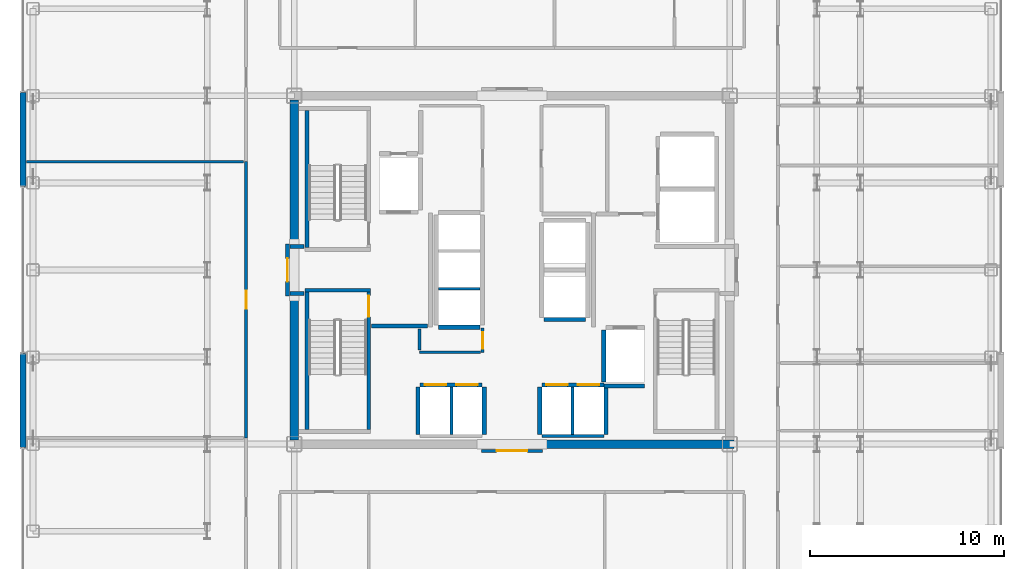
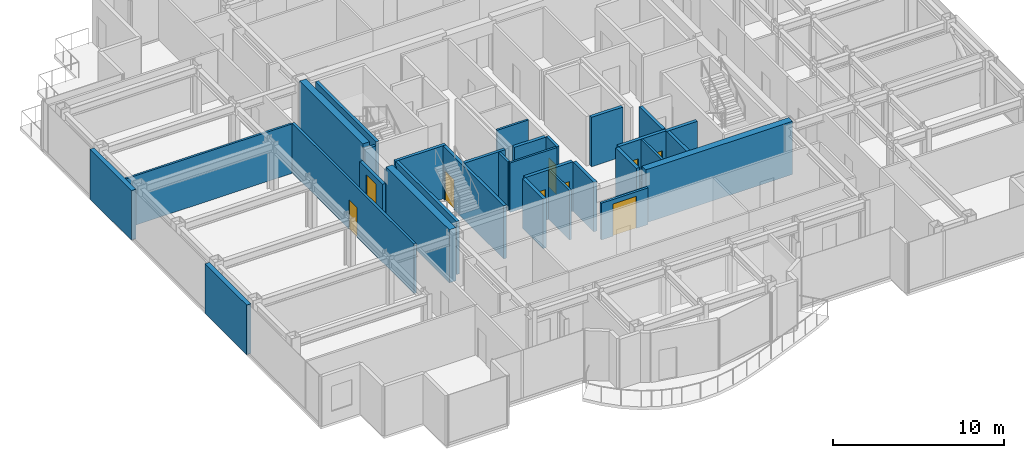
# One storey, part 16 of 22: 33 walls, 9 doors, 9 openings.
"""IFC4 building model written with IfcOpenShell, lengths in metres."""

from ifc_helpers import new_model, si_unit, direction, frame, frame_2d, origin, place, context, subcontext, project, spatial, rectangle, extrude, source, transform, mapped, material, layer, layer_set, type_object, element, fill, save


model = new_model("IFC4")

# Units and contexts
model_context = context("Model", 3, precision=1e-05, world=origin(), true_north=direction((0.0, 1.0)))
body_context = subcontext(model_context, "Body", "Model", "MODEL_VIEW")
ifc_project = project(units=[si_unit("LENGTHUNIT", "METRE"), si_unit("AREAUNIT", "SQUARE_METRE"), si_unit("VOLUMEUNIT", "CUBIC_METRE"), si_unit("PLANEANGLEUNIT", "RADIAN"), si_unit("MASSUNIT", "GRAM", prefix="KILO")], contexts=[model_context])

# Site, building, storey
site_placement = place(None, origin())
site = spatial("IfcSite", under=ifc_project, at=site_placement, CompositionType="ELEMENT")
building_placement = place(site_placement, origin())
building = spatial("IfcBuilding", under=site, at=building_placement, Name="Nefas-Gora Pilgrimage Tower", CompositionType="ELEMENT")
storey_placement = place(building_placement, frame((0.0, 0.0, 240.800048828125)))
storey = spatial("IfcBuildingStorey", under=building, at=storey_placement, Name="L60", CompositionType="ELEMENT", Elevation=240.800048828125)

# Walls
ifc_material_1 = material(Name="Concrete C50/60", Category="concrete")
ifc_layer_1 = layer(ifc_material_1, 0.449951171875)
ifc_layer_set_1 = layer_set([ifc_layer_1], Name="Concrete C50/60")
wall_type_1 = type_object("IfcWallType", Name="SW-CORE-450", PredefinedType="SHEAR", material=ifc_layer_set_1)
shared_shape_1 = source(origin(), body_context, "Body", "SweptSolid", [
    extrude(rectangle(XDim=9.925048828125, YDim=0.449951171875, at=frame_2d((4.96240234375, 0.0))), origin(), (0.0, 0.0, 1.0), 3.800048828125),
])
wall_1_placement = place(storey_placement, frame((1.550048828125, -9.0, 0.0), z_axis=(0.0, 0.0, 1.0), x_axis=(1.0, 0.0, 0.0)))
element("IfcWall", 1, at=wall_1_placement, inside=storey, type_object=wall_type_1, Name="L60 Core Shear Wall S-East", PredefinedType="SHEAR", context=body_context, shape_type="MappedRepresentation", body=[
    mapped(shared_shape_1, transform((0.0, 0.0, 0.0), x_axis=(1.0, 0.0, 0.0), y_axis=(0.0, 1.0, 0.0), z_axis=(0.0, 0.0, 1.0), scale=1.0)),
])
shared_shape_2 = source(origin(), body_context, "Body", "SweptSolid", [
    extrude(rectangle(XDim=7.4248046875, YDim=0.449951171875, at=frame_2d((3.71240234375, 0.0))), origin(), (0.0, 0.0, 1.0), 3.800048828125),
])
for number, where, z_axis, x_axis, name in (
    (2, (-11.25, -8.77490234375, 0.0), (0.0, 0.0, 1.0), (0.0, 1.0, 0.0), "L60 Core Shear Wall W-South"),
    (3, (-11.25, 1.35009765625, 0.0), (0.0, 0.0, 1.0), (0.0, 1.0, 0.0), "L60 Core Shear Wall W-North"),
):
    element("IfcWall", number, at=place(storey_placement, frame(where, z_axis=z_axis, x_axis=x_axis)), inside=storey, type_object=wall_type_1, Name=name, PredefinedType="SHEAR", context=body_context, shape_type="MappedRepresentation", body=[
        mapped(shared_shape_2, transform((0.0, 0.0, 0.0), x_axis=(1.0, 0.0, 0.0), y_axis=(0.0, 1.0, 0.0), z_axis=(0.0, 0.0, 1.0), scale=1.0)),
    ])
ifc_material_2 = material(Name="Precast concrete C45/55", Category="concrete")
ifc_layer_2 = layer(ifc_material_2, 0.239990234375)
ifc_layer_set_2 = layer_set([ifc_layer_2], Name="Precast concrete C45/55")
wall_type_2 = type_object("IfcWallType", Name="EW-SERR-240", PredefinedType="SHEAR", material=ifc_layer_set_2)
shared_shape_3 = source(origin(), body_context, "Body", "SweptSolid", [
    extrude(rectangle(XDim=4.8798828125, YDim=0.300048828125, at=frame_2d((2.43994140625, 0.0))), origin(), (0.0, 0.0, 1.0), 3.550048828125),
])
for number, where, z_axis, x_axis, name in (
    (4, (-25.27001953125, -9.18994140625, 0.0), (0.0, 0.0, 1.0), (0.0, 1.0, 0.0), "L60 Braced-Tube Precast Shear Cladding 1"),
    (5, (-25.27001953125, 4.31005859375, 0.0), (0.0, 0.0, 1.0), (0.0, 1.0, 0.0), "L60 Braced-Tube Precast Shear Cladding 2"),
):
    element("IfcWall", number, at=place(storey_placement, frame(where, z_axis=z_axis, x_axis=x_axis)), inside=storey, type_object=wall_type_2, Name=name, PredefinedType="SHEAR", context=body_context, shape_type="MappedRepresentation", body=[
        mapped(shared_shape_3, transform((0.0, 0.0, 0.0), x_axis=(1.0, 0.0, 0.0), y_axis=(0.0, 1.0, 0.0), z_axis=(0.0, 0.0, 1.0), scale=1.0)),
    ])
ifc_material_3 = material(Name="Concrete C45/55", Category="concrete")
ifc_layer_3 = layer(ifc_material_3, 0.199951171875)
ifc_layer_set_3 = layer_set([ifc_layer_3], Name="Concrete C45/55")
wall_type_3 = type_object("IfcWallType", Name="IW-STAIR-200", PredefinedType="SOLIDWALL", material=ifc_layer_set_3)
shared_shape_4 = source(origin(), body_context, "Body", "SweptSolid", [
    extrude(rectangle(XDim=3.39990234375, YDim=0.199951171875, at=frame_2d((1.699951171875, 0.0))), origin(), (0.0, 0.0, 1.0), 3.800048828125),
])
wall_2_placement = place(storey_placement, frame((-10.699951171875, -1.050048828125, 0.0), z_axis=(0.0, 0.0, 1.0), x_axis=(1.0, 0.0, 0.0)))
element("IfcWall", 6, at=wall_2_placement, inside=storey, type_object=wall_type_3, Name="L60 Stairwell Shear Wall ST-03-near", PredefinedType="SOLIDWALL", context=body_context, shape_type="MappedRepresentation", body=[
    mapped(shared_shape_4, transform((0.0, 0.0, 0.0), x_axis=(1.0, 0.0, 0.0), y_axis=(0.0, 1.0, 0.0), z_axis=(0.0, 0.0, 1.0), scale=1.0)),
])
shared_shape_5 = source(origin(), body_context, "Body", "SweptSolid", [
    extrude(rectangle(XDim=7.10009765625, YDim=0.199951171875, at=frame_2d((3.550048828125, 0.0))), origin(), (0.0, 0.0, 1.0), 3.800048828125),
])
for number, where, z_axis, x_axis, name in (
    (7, (-10.60009765625, 1.14990234375, 0.0), (0.0, 0.0, 1.0), (0.0, 1.0, 0.0), "L60 Stairwell Shear Wall ST-01-right"),
    (8, (-10.60009765625, -1.14990234375, 0.0), (0.0, 0.0, 1.0), (0.0, -1.0, 0.0), "L60 Stairwell Shear Wall ST-03-left"),
):
    element("IfcWall", number, at=place(storey_placement, frame(where, z_axis=z_axis, x_axis=x_axis)), inside=storey, type_object=wall_type_3, Name=name, PredefinedType="SOLIDWALL", context=body_context, shape_type="MappedRepresentation", body=[
        mapped(shared_shape_5, transform((0.0, 0.0, 0.0), x_axis=(1.0, 0.0, 0.0), y_axis=(0.0, 1.0, 0.0), z_axis=(0.0, 0.0, 1.0), scale=1.0)),
    ])

# Wall, opening, door
wall_3_placement = place(storey_placement, frame((-7.39990234375, -1.14990234375, 0.0), z_axis=(0.0, 0.0, 1.0), x_axis=(0.0, -1.0, 0.0)))
wall_3 = element("IfcWall", 9, at=wall_3_placement, inside=storey, type_object=wall_type_3, Name="L60 Stairwell Shear Wall ST-03-right", PredefinedType="SOLIDWALL", context=body_context, shape_type="MappedRepresentation", body=[
    mapped(shared_shape_5, transform((0.0, 0.0, 0.0), x_axis=(1.0, 0.0, 0.0), y_axis=(0.0, 1.0, 0.0), z_axis=(0.0, 0.0, 1.0), scale=1.0)),
])
opening_1_placement = place(wall_3_placement, frame((0.179931640625, 0.0, 0.0)))
opening_1 = element("IfcOpeningElement", 10, at=opening_1_placement, cuts=wall_3, Name="Opening ID-ST1", PredefinedType="OPENING", context=body_context, shape_type="SweptSolid", body=[
    extrude(rectangle(XDim=1.10009765625, YDim=2.14990234375, at=frame_2d((0.550048828125, 1.074951171875))), frame((0.0, 0.10986328125, 0.0), z_axis=(0.0, -1.0, 0.0), x_axis=(1.0, 0.0, 0.0)), (0.0, 0.0, 1.0), 0.219970703125),
])
ifc_material_4 = material(Name="Painted galvanised steel fire stair door", Category="steel")
door_type_1 = type_object("IfcDoorType", Name="DR-INT-STAIR-1100", OperationType="NOTDEFINED", PredefinedType="DOOR", material=ifc_material_4)
shared_shape_6 = source(origin(), body_context, "Body", "SweptSolid", [
    extrude(rectangle(XDim=1.10009765625, YDim=2.14990234375, at=frame_2d((0.550048828125, 1.074951171875))), frame((0.0, 0.02490234375, 0.0), z_axis=(0.0, -1.0, 0.0), x_axis=(1.0, 0.0, 0.0)), (0.0, 0.0, 1.0), 0.050048828125),
])
door_1_placement = place(opening_1_placement, origin())
door_1 = element("IfcDoor", 11, at=door_1_placement, inside=storey, type_object=door_type_1, Name="L60 Protected Exit Stair Door ST-03", OperationType="SINGLE_SWING_RIGHT", OverallHeight=2.14990234375, OverallWidth=1.10009765625, PredefinedType="DOOR", context=body_context, shape_type="MappedRepresentation", body=[
    mapped(shared_shape_6, transform((0.0, 0.0, 0.0), x_axis=(1.0, 0.0, 0.0), y_axis=(0.0, 1.0, 0.0), z_axis=(0.0, 0.0, 1.0), scale=1.0)),
])
fill(opening_1, door_1)

# Wall
ifc_material_5 = material(Name="Concrete C40/50", Category="concrete")
ifc_layer_4 = layer(ifc_material_5, 0.219970703125)
ifc_layer_set_4 = layer_set([ifc_layer_4], Name="Concrete C40/50")
wall_type_4 = type_object("IfcWallType", Name="IW-SHAFT-220", PredefinedType="SOLIDWALL", material=ifc_layer_set_4)
shared_shape_7 = source(origin(), body_context, "Body", "SweptSolid", [
    extrude(rectangle(XDim=2.679931640625, YDim=0.219970703125, at=frame_2d((1.33984375, 0.0))), origin(), (0.0, 0.0, 1.0), 3.534912109375),
])
wall_4_placement = place(storey_placement, frame((4.739990234375, -3.110107421875, 0.0), z_axis=(0.0, 0.0, 1.0), x_axis=(0.0, -1.0, 0.0)))
element("IfcWall", 12, at=wall_4_placement, inside=storey, type_object=wall_type_4, Name="L60 Hoistway Wall FFL-02-W", PredefinedType="SOLIDWALL", context=body_context, shape_type="MappedRepresentation", body=[
    mapped(shared_shape_7, transform((0.0, 0.0, 0.0), x_axis=(1.0, 0.0, 0.0), y_axis=(0.0, 1.0, 0.0), z_axis=(0.0, 0.0, 1.0), scale=1.0)),
])

# Wall, openings, doors
shared_shape_8 = source(origin(), body_context, "Body", "SweptSolid", [
    extrude(rectangle(XDim=3.199951171875, YDim=0.219970703125, at=frame_2d((1.60009765625, 0.0))), origin(), (0.0, 0.0, 1.0), 3.534912109375),
])
wall_5_placement = place(storey_placement, frame((-1.550048828125, -5.93994140625, 0.0), z_axis=(0.0, 0.0, 1.0), x_axis=(-1.0, 0.0, 0.0)))
wall_5 = element("IfcWall", 13, at=wall_5_placement, inside=storey, type_object=wall_type_4, Name="L60 Hoistway Wall PL2-W-N", PredefinedType="SOLIDWALL", context=body_context, shape_type="MappedRepresentation", body=[
    mapped(shared_shape_8, transform((0.0, 0.0, 0.0), x_axis=(1.0, 0.0, 0.0), y_axis=(0.0, 1.0, 0.0), z_axis=(0.0, 0.0, 1.0), scale=1.0)),
])
opening_2_placement = place(wall_5_placement, frame((1.85009765625, 0.0, 0.0)))
opening_2 = element("IfcOpeningElement", 14, at=opening_2_placement, cuts=wall_5, Name="Opening LD-01", PredefinedType="OPENING", context=body_context, shape_type="SweptSolid", body=[
    extrude(rectangle(XDim=1.10009765625, YDim=2.199951171875, at=frame_2d((0.550048828125, 1.10009765625))), frame((0.0, 0.119873046875, 0.0), z_axis=(0.0, -1.0, 0.0), x_axis=(1.0, 0.0, 0.0)), (0.0, 0.0, 1.0), 0.239990234375),
])
opening_3_placement = place(wall_5_placement, frame((0.22509765625, 0.0, 0.0)))
opening_3 = element("IfcOpeningElement", 15, at=opening_3_placement, cuts=wall_5, Name="Opening LD-01", PredefinedType="OPENING", context=body_context, shape_type="SweptSolid", body=[
    extrude(rectangle(XDim=1.10009765625, YDim=2.199951171875, at=frame_2d((0.550048828125, 1.10009765625))), frame((0.0, 0.119873046875, 0.0), z_axis=(0.0, -1.0, 0.0), x_axis=(1.0, 0.0, 0.0)), (0.0, 0.0, 1.0), 0.239990234375),
])
ifc_material_6 = material(Name="Brushed stainless sliding lift landing door")
door_type_2 = type_object("IfcDoorType", Name="DR-LIFT-PASS-1100", OperationType="DOUBLE_DOOR_SLIDING", PredefinedType="DOOR", material=ifc_material_6)
shared_shape_9 = source(origin(), body_context, "Body", "SweptSolid", [
    extrude(rectangle(XDim=1.10009765625, YDim=2.199951171875, at=frame_2d((0.550048828125, 1.10009765625))), frame((0.0, 0.02490234375, 0.0), z_axis=(0.0, -1.0, 0.0), x_axis=(1.0, 0.0, 0.0)), (0.0, 0.0, 1.0), 0.050048828125),
])
door_2_placement = place(opening_2_placement, origin())
door_2 = element("IfcDoor", 16, at=door_2_placement, inside=storey, type_object=door_type_2, Name="L60 Sliding Lift Landing Door PL2-01", OperationType="DOUBLE_DOOR_SLIDING", OverallHeight=2.199951171875, OverallWidth=1.10009765625, PredefinedType="DOOR", context=body_context, shape_type="MappedRepresentation", body=[
    mapped(shared_shape_9, transform((0.0, 0.0, 0.0), x_axis=(1.0, 0.0, 0.0), y_axis=(0.0, 1.0, 0.0), z_axis=(0.0, 0.0, 1.0), scale=1.0)),
])
fill(opening_2, door_2)
door_3_placement = place(opening_3_placement, origin())
door_3 = element("IfcDoor", 17, at=door_3_placement, inside=storey, type_object=door_type_2, Name="L60 Sliding Lift Landing Door PL2-02", OperationType="DOUBLE_DOOR_SLIDING", OverallHeight=2.199951171875, OverallWidth=1.10009765625, PredefinedType="DOOR", context=body_context, shape_type="MappedRepresentation", body=[
    mapped(shared_shape_9, transform((0.0, 0.0, 0.0), x_axis=(1.0, 0.0, 0.0), y_axis=(0.0, 1.0, 0.0), z_axis=(0.0, 0.0, 1.0), scale=1.0)),
])
fill(opening_3, door_3)

wall_6_placement = place(storey_placement, frame((4.75, -5.93994140625, 0.0), z_axis=(0.0, 0.0, 1.0), x_axis=(-1.0, 0.0, 0.0)))
wall_6 = element("IfcWall", 18, at=wall_6_placement, inside=storey, type_object=wall_type_4, Name="L60 Hoistway Wall PL2-E-N", PredefinedType="SOLIDWALL", context=body_context, shape_type="MappedRepresentation", body=[
    mapped(shared_shape_8, transform((0.0, 0.0, 0.0), x_axis=(1.0, 0.0, 0.0), y_axis=(0.0, 1.0, 0.0), z_axis=(0.0, 0.0, 1.0), scale=1.0)),
])
opening_4_placement = place(wall_6_placement, frame((1.875, 0.0, 0.0)))
opening_4 = element("IfcOpeningElement", 19, at=opening_4_placement, cuts=wall_6, Name="Opening LD-01", PredefinedType="OPENING", context=body_context, shape_type="SweptSolid", body=[
    extrude(rectangle(XDim=1.10009765625, YDim=2.199951171875, at=frame_2d((0.550048828125, 1.10009765625))), frame((0.0, 0.119873046875, 0.0), z_axis=(0.0, -1.0, 0.0), x_axis=(1.0, 0.0, 0.0)), (0.0, 0.0, 1.0), 0.239990234375),
])
opening_5_placement = place(wall_6_placement, frame((0.25, 0.0, 0.0)))
opening_5 = element("IfcOpeningElement", 20, at=opening_5_placement, cuts=wall_6, Name="Opening LD-01", PredefinedType="OPENING", context=body_context, shape_type="SweptSolid", body=[
    extrude(rectangle(XDim=1.10009765625, YDim=2.199951171875, at=frame_2d((0.550048828125, 1.10009765625))), frame((0.0, 0.119873046875, 0.0), z_axis=(0.0, -1.0, 0.0), x_axis=(1.0, 0.0, 0.0)), (0.0, 0.0, 1.0), 0.239990234375),
])
door_4_placement = place(opening_4_placement, origin())
door_4 = element("IfcDoor", 21, at=door_4_placement, inside=storey, type_object=door_type_2, Name="L60 Sliding Lift Landing Door PL2-03", OperationType="DOUBLE_DOOR_SLIDING", OverallHeight=2.199951171875, OverallWidth=1.10009765625, PredefinedType="DOOR", context=body_context, shape_type="MappedRepresentation", body=[
    mapped(shared_shape_9, transform((0.0, 0.0, 0.0), x_axis=(1.0, 0.0, 0.0), y_axis=(0.0, 1.0, 0.0), z_axis=(0.0, 0.0, 1.0), scale=1.0)),
])
fill(opening_4, door_4)
door_5_placement = place(opening_5_placement, origin())
door_5 = element("IfcDoor", 22, at=door_5_placement, inside=storey, type_object=door_type_2, Name="L60 Sliding Lift Landing Door PL2-04", OperationType="DOUBLE_DOOR_SLIDING", OverallHeight=2.199951171875, OverallWidth=1.10009765625, PredefinedType="DOOR", context=body_context, shape_type="MappedRepresentation", body=[
    mapped(shared_shape_9, transform((0.0, 0.0, 0.0), x_axis=(1.0, 0.0, 0.0), y_axis=(0.0, 1.0, 0.0), z_axis=(0.0, 0.0, 1.0), scale=1.0)),
])
fill(opening_5, door_5)

# Walls
shared_shape_10 = source(origin(), body_context, "Body", "SweptSolid", [
    extrude(rectangle(XDim=2.429931640625, YDim=0.219970703125, at=frame_2d((1.21484375, 0.0))), origin(), (0.0, 0.0, 1.0), 3.534912109375),
])
for number, where, z_axis, x_axis, name in (
    (23, (-4.860107421875, -6.06005859375, 0.0), (0.0, 0.0, 1.0), (0.0, -1.0, 0.0), "L60 Hoistway Wall PL2-W-W"),
    (24, (-1.43994140625, -8.489990234375, 0.0), (0.0, 0.0, 1.0), (0.0, 1.0, 0.0), "L60 Hoistway Wall PL2-W-E"),
    (25, (1.43994140625, -6.06005859375, 0.0), (0.0, 0.0, 1.0), (0.0, -1.0, 0.0), "L60 Hoistway Wall PL2-E-W"),
    (26, (4.860107421875, -8.489990234375, 0.0), (0.0, 0.0, 1.0), (0.0, 1.0, 0.0), "L60 Hoistway Wall PL2-E-E"),
):
    element("IfcWall", number, at=place(storey_placement, frame(where, z_axis=z_axis, x_axis=x_axis)), inside=storey, type_object=wall_type_4, Name=name, PredefinedType="SOLIDWALL", context=body_context, shape_type="MappedRepresentation", body=[
        mapped(shared_shape_10, transform((0.0, 0.0, 0.0), x_axis=(1.0, 0.0, 0.0), y_axis=(0.0, 1.0, 0.0), z_axis=(0.0, 0.0, 1.0), scale=1.0)),
    ])
ifc_material_7 = material(Name="Gypsum twin-stud partition")
ifc_layer_5 = layer(ifc_material_7, 0.139892578125)
ifc_layer_set_5 = layer_set([ifc_layer_5], Name="Gypsum twin-stud partition")
wall_type_5 = type_object("IfcWallType", Name="IW-UNIT-140", PredefinedType="PARTITIONING", material=ifc_layer_set_5)
shared_shape_11 = source(origin(), body_context, "Body", "SweptSolid", [
    extrude(rectangle(XDim=2.429931640625, YDim=0.139892578125, at=frame_2d((1.21484375, 0.0))), origin(), (0.0, 0.0, 1.0), 3.534912109375),
])
for number, where, z_axis, x_axis, name in (
    (27, (-3.125, -8.489990234375, 0.0), (0.0, 0.0, 1.0), (0.0, 1.0, 0.0), "L60 Hoistway Wall PL2-W-DIV"),
    (28, (3.125, -8.489990234375, 0.0), (0.0, 0.0, 1.0), (0.0, 1.0, 0.0), "L60 Hoistway Wall PL2-E-DIV"),
):
    element("IfcWall", number, at=place(storey_placement, frame(where, z_axis=z_axis, x_axis=x_axis)), inside=storey, type_object=wall_type_5, Name=name, PredefinedType="PARTITIONING", context=body_context, shape_type="MappedRepresentation", body=[
        mapped(shared_shape_11, transform((0.0, 0.0, 0.0), x_axis=(1.0, 0.0, 0.0), y_axis=(0.0, 1.0, 0.0), z_axis=(0.0, 0.0, 1.0), scale=1.0)),
    ])
shared_shape_12 = source(origin(), body_context, "Body", "SweptSolid", [
    extrude(rectangle(XDim=2.130126953125, YDim=0.219970703125, at=frame_2d((1.06494140625, 0.0))), origin(), (0.0, 0.0, 1.0), 3.534912109375),
])
for number, where, z_axis, x_axis, name in (
    (29, (-3.7900390625, -2.9599609375, 0.0), (0.0, 0.0, 1.0), (1.0, 0.0, 0.0), "L60 Hoistway Wall PL3-01-S"),
    (30, (1.659912109375, -2.56005859375, 0.0), (0.0, 0.0, 1.0), (1.0, 0.0, 0.0), "L60 Hoistway Wall OBS-01-S"),
):
    element("IfcWall", number, at=place(storey_placement, frame(where, z_axis=z_axis, x_axis=x_axis)), inside=storey, type_object=wall_type_4, Name=name, PredefinedType="SOLIDWALL", context=body_context, shape_type="MappedRepresentation", body=[
        mapped(shared_shape_12, transform((0.0, 0.0, 0.0), x_axis=(1.0, 0.0, 0.0), y_axis=(0.0, 1.0, 0.0), z_axis=(0.0, 0.0, 1.0), scale=1.0)),
    ])
shared_shape_13 = source(origin(), body_context, "Body", "SweptSolid", [
    extrude(rectangle(XDim=2.130126953125, YDim=0.139892578125, at=frame_2d((1.06494140625, 0.0))), origin(), (0.0, 0.0, 1.0), 3.534912109375),
])
wall_7_placement = place(storey_placement, frame((-3.7900390625, -0.97509765625, 0.0), z_axis=(0.0, 0.0, 1.0), x_axis=(1.0, 0.0, 0.0)))
element("IfcWall", 31, at=wall_7_placement, inside=storey, type_object=wall_type_5, Name="L60 Hoistway Wall PL3-01-02-DIV", PredefinedType="PARTITIONING", context=body_context, shape_type="MappedRepresentation", body=[
    mapped(shared_shape_13, transform((0.0, 0.0, 0.0), x_axis=(1.0, 0.0, 0.0), y_axis=(0.0, 1.0, 0.0), z_axis=(0.0, 0.0, 1.0), scale=1.0)),
])
ifc_material_8 = material(Name="Gypsum acoustic stud partition")
ifc_layer_6 = layer(ifc_material_8, 0.159912109375)
ifc_layer_set_6 = layer_set([ifc_layer_6], Name="Gypsum acoustic stud partition")
wall_type_6 = type_object("IfcWallType", Name="IW-CORR-160", PredefinedType="PARTITIONING", material=ifc_layer_set_6)
shared_shape_14 = source(origin(), body_context, "Body", "SweptSolid", [
    extrude(rectangle(XDim=3.199951171875, YDim=0.159912109375, at=frame_2d((1.60009765625, 0.0))), origin(), (0.0, 0.0, 1.0), 2.625),
])
wall_8_placement = place(storey_placement, frame((1.550048828125, -8.580078125, 0.0), z_axis=(0.0, 0.0, 1.0), x_axis=(1.0, 0.0, 0.0)))
element("IfcWall", 32, at=wall_8_placement, inside=storey, type_object=wall_type_6, Name="L60 Hoistway Wall PL2-E-S", PredefinedType="PARTITIONING", context=body_context, shape_type="MappedRepresentation", body=[
    mapped(shared_shape_14, transform((0.0, 0.0, 0.0), x_axis=(1.0, 0.0, 0.0), y_axis=(0.0, 1.0, 0.0), z_axis=(0.0, 0.0, 1.0), scale=1.0)),
])
shared_shape_15 = source(origin(), body_context, "Body", "SweptSolid", [
    extrude(rectangle(XDim=2.09521484375, YDim=0.219970703125, at=frame_2d((1.047607421875, 0.0))), origin(), (0.0, 0.0, 1.0), 3.534912109375),
])
wall_9_placement = place(storey_placement, frame((4.7548828125, -6.0, 0.0), z_axis=(0.0, 0.0, 1.0), x_axis=(1.0, 0.0, 0.0)))
element("IfcWall", 33, at=wall_9_placement, inside=storey, type_object=wall_type_4, Name="L60 Riser Shaft Wall 3", PredefinedType="SOLIDWALL", context=body_context, shape_type="MappedRepresentation", body=[
    mapped(shared_shape_15, transform((0.0, 0.0, 0.0), x_axis=(1.0, 0.0, 0.0), y_axis=(0.0, 1.0, 0.0), z_axis=(0.0, 0.0, 1.0), scale=1.0)),
])
ifc_material_9 = material(Name="Gypsum fire-rated shaftwall")
ifc_layer_7 = layer(ifc_material_9, 0.199951171875)
ifc_layer_set_7 = layer_set([ifc_layer_7], Name="Gypsum fire-rated shaftwall")
wall_type_7 = type_object("IfcWallType", Name="IW-FFLOB-200", PredefinedType="PARTITIONING", material=ifc_layer_set_7)
shared_shape_16 = source(origin(), body_context, "Body", "SweptSolid", [
    extrude(rectangle(XDim=2.89990234375, YDim=0.199951171875, at=frame_2d((1.449951171875, 0.0))), origin(), (0.0, 0.0, 1.0), 3.534912109375),
])
wall_10_placement = place(storey_placement, frame((-7.260009765625, -2.89990234375, 0.0), z_axis=(0.0, 0.0, 1.0), x_axis=(1.0, 0.0, 0.0)))
element("IfcWall", 34, at=wall_10_placement, inside=storey, type_object=wall_type_7, Name="L60 FF Lobby West South Wall Wall 6", PredefinedType="PARTITIONING", context=body_context, shape_type="MappedRepresentation", body=[
    mapped(shared_shape_16, transform((0.0, 0.0, 0.0), x_axis=(1.0, 0.0, 0.0), y_axis=(0.0, 1.0, 0.0), z_axis=(0.0, 0.0, 1.0), scale=1.0)),
])
shared_shape_17 = source(origin(), body_context, "Body", "SweptSolid", [
    extrude(rectangle(XDim=0.719970703125, YDim=0.199951171875, at=frame_2d((0.35986328125, 0.0))), origin(), (0.0, 0.0, 1.0), 3.534912109375),
])
for number, where, z_axis, x_axis, name in (
    (35, (-11.4599609375, 1.219970703125, 0.0), (0.0, 0.0, 1.0), (1.0, 0.0, 0.0), "L60 FF Lobby West Throat N Wall 7"),
    (36, (-11.4599609375, -1.219970703125, 0.0), (0.0, 0.0, 1.0), (1.0, 0.0, 0.0), "L60 FF Lobby West Throat S Wall 8"),
):
    element("IfcWall", number, at=place(storey_placement, frame(where, z_axis=z_axis, x_axis=x_axis)), inside=storey, type_object=wall_type_7, Name=name, PredefinedType="PARTITIONING", context=body_context, shape_type="MappedRepresentation", body=[
        mapped(shared_shape_17, transform((0.0, 0.0, 0.0), x_axis=(1.0, 0.0, 0.0), y_axis=(0.0, 1.0, 0.0), z_axis=(0.0, 0.0, 1.0), scale=1.0)),
    ])

# Wall, opening, door
shared_shape_18 = source(origin(), body_context, "Body", "SweptSolid", [
    extrude(rectangle(XDim=1.25, YDim=0.159912109375, at=frame_2d((0.625, 0.0))), origin(), (0.0, 0.0, 1.0), 3.534912109375),
])
wall_11_placement = place(storey_placement, frame((-1.52001953125, -4.260009765625, 0.0), z_axis=(0.0, 0.0, 1.0), x_axis=(0.0, 1.0, 0.0)))
wall_11 = element("IfcWall", 37, at=wall_11_placement, inside=storey, type_object=wall_type_6, Name="L60 Pilgrim Baggage and Gear Vault Wall 20", PredefinedType="PARTITIONING", context=body_context, shape_type="MappedRepresentation", body=[
    mapped(shared_shape_18, transform((0.0, 0.0, 0.0), x_axis=(1.0, 0.0, 0.0), y_axis=(0.0, 1.0, 0.0), z_axis=(0.0, 0.0, 1.0), scale=1.0)),
])
opening_6_placement = place(wall_11_placement, frame((0.199951171875, 0.0, 0.0)))
opening_6 = element("IfcOpeningElement", 38, at=opening_6_placement, cuts=wall_11, Name="Opening ID-BT1", PredefinedType="OPENING", context=body_context, shape_type="SweptSolid", body=[
    extrude(rectangle(XDim=0.85009765625, YDim=2.10009765625, at=frame_2d((0.425048828125, 1.050048828125))), frame((0.0, 0.08984375, 0.0), z_axis=(0.0, -1.0, 0.0), x_axis=(1.0, 0.0, 0.0)), (0.0, 0.0, 1.0), 0.179931640625),
])
ifc_material_10 = material(Name="Moisture-resistant fire-rated timber door", Category="wood")
door_type_3 = type_object("IfcDoorType", Name="DR-INT-BATH-850", OperationType="NOTDEFINED", PredefinedType="DOOR", material=ifc_material_10)
shared_shape_19 = source(origin(), body_context, "Body", "SweptSolid", [
    extrude(rectangle(XDim=0.85009765625, YDim=2.10009765625, at=frame_2d((0.425048828125, 1.050048828125))), frame((0.0, 0.02490234375, 0.0), z_axis=(0.0, -1.0, 0.0), x_axis=(1.0, 0.0, 0.0)), (0.0, 0.0, 1.0), 0.050048828125),
])
door_6_placement = place(opening_6_placement, origin())
door_6 = element("IfcDoor", 39, at=door_6_placement, inside=storey, type_object=door_type_3, Name="L60 Pilgrim Baggage and Gear Vault Door 8", OperationType="SINGLE_SWING_RIGHT", OverallHeight=2.10009765625, OverallWidth=0.85009765625, PredefinedType="DOOR", context=body_context, shape_type="MappedRepresentation", body=[
    mapped(shared_shape_19, transform((0.0, 0.0, 0.0), x_axis=(1.0, 0.0, 0.0), y_axis=(0.0, 1.0, 0.0), z_axis=(0.0, 0.0, 1.0), scale=1.0)),
])
fill(opening_6, door_6)

# Walls
shared_shape_20 = source(origin(), body_context, "Body", "SweptSolid", [
    extrude(rectangle(XDim=3.150146484375, YDim=0.139892578125, at=frame_2d((1.5751953125, 0.0))), origin(), (0.0, 0.0, 1.0), 3.534912109375),
])
wall_12_placement = place(storey_placement, frame((-4.7900390625, -4.25, 0.0), z_axis=(0.0, 0.0, 1.0), x_axis=(1.0, 0.0, 0.0)))
element("IfcWall", 40, at=wall_12_placement, inside=storey, type_object=wall_type_5, Name="L60 Pilgrim Baggage and Gear Vault Partition Wall 21", PredefinedType="PARTITIONING", context=body_context, shape_type="MappedRepresentation", body=[
    mapped(shared_shape_20, transform((0.0, 0.0, 0.0), x_axis=(1.0, 0.0, 0.0), y_axis=(0.0, 1.0, 0.0), z_axis=(0.0, 0.0, 1.0), scale=1.0)),
])
shared_shape_21 = source(origin(), body_context, "Body", "SweptSolid", [
    extrude(rectangle(XDim=1.099853515625, YDim=0.139892578125, at=frame_2d((0.5498046875, 0.0))), origin(), (0.0, 0.0, 1.0), 3.534912109375),
])
wall_13_placement = place(storey_placement, frame((-4.780029296875, -4.139892578125, 0.0), z_axis=(0.0, 0.0, 1.0), x_axis=(0.0, 1.0, 0.0)))
element("IfcWall", 41, at=wall_13_placement, inside=storey, type_object=wall_type_5, Name="L60 Pilgrim Baggage and Gear Vault Partition Wall 22", PredefinedType="PARTITIONING", context=body_context, shape_type="MappedRepresentation", body=[
    mapped(shared_shape_21, transform((0.0, 0.0, 0.0), x_axis=(1.0, 0.0, 0.0), y_axis=(0.0, 1.0, 0.0), z_axis=(0.0, 0.0, 1.0), scale=1.0)),
])
shared_shape_22 = source(origin(), body_context, "Body", "SweptSolid", [
    extrude(rectangle(XDim=11.219970703125, YDim=0.139892578125, at=frame_2d((5.60986328125, 0.0))), origin(), (0.0, 0.0, 1.0), 3.534912109375),
])
wall_14_placement = place(storey_placement, frame((-25.080078125, 5.594970703125, 0.0), z_axis=(0.0, 0.0, 1.0), x_axis=(1.0, 0.0, 0.0)))
element("IfcWall", 42, at=wall_14_placement, inside=storey, type_object=wall_type_5, Name="L60 Pilgrim Floor Concierge Foyer Partition Wall 30", PredefinedType="PARTITIONING", context=body_context, shape_type="MappedRepresentation", body=[
    mapped(shared_shape_22, transform((0.0, 0.0, 0.0), x_axis=(1.0, 0.0, 0.0), y_axis=(0.0, 1.0, 0.0), z_axis=(0.0, 0.0, 1.0), scale=1.0)),
])

# Wall, opening, door
shared_shape_23 = source(origin(), body_context, "Body", "SweptSolid", [
    extrude(rectangle(XDim=2.7001953125, YDim=0.199951171875, at=frame_2d((1.35009765625, 0.0))), origin(), (0.0, 0.0, 1.0), 2.625),
])
wall_15_placement = place(storey_placement, frame((-11.60009765625, -1.35009765625, 0.0), z_axis=(0.0, 0.0, 1.0), x_axis=(0.0, 1.0, 0.0)))
wall_15 = element("IfcWall", 43, at=wall_15_placement, inside=storey, type_object=wall_type_7, Name="L60 FF Lobby West Portal Wall 4", PredefinedType="PARTITIONING", context=body_context, shape_type="MappedRepresentation", body=[
    mapped(shared_shape_23, transform((0.0, 0.0, 0.0), x_axis=(1.0, 0.0, 0.0), y_axis=(0.0, 1.0, 0.0), z_axis=(0.0, 0.0, 1.0), scale=1.0)),
])
opening_7_placement = place(wall_15_placement, frame((0.75, 0.0, 0.0)))
opening_7 = element("IfcOpeningElement", 44, at=opening_7_placement, cuts=wall_15, Name="Opening ID-FF1", PredefinedType="OPENING", context=body_context, shape_type="SweptSolid", body=[
    extrude(rectangle(XDim=1.199951171875, YDim=2.14990234375, at=frame_2d((0.60009765625, 1.074951171875))), frame((0.0, 0.10986328125, 0.0), z_axis=(0.0, -1.0, 0.0), x_axis=(1.0, 0.0, 0.0)), (0.0, 0.0, 1.0), 0.219970703125),
])
ifc_material_11 = material(Name="Smoke-sealed steel firefighting lobby door", Category="steel")
door_type_4 = type_object("IfcDoorType", Name="DR-INT-FFLOB-1200", OperationType="NOTDEFINED", PredefinedType="DOOR", material=ifc_material_11)
shared_shape_24 = source(origin(), body_context, "Body", "SweptSolid", [
    extrude(rectangle(XDim=1.199951171875, YDim=2.14990234375, at=frame_2d((0.60009765625, 1.074951171875))), frame((0.0, 0.02490234375, 0.0), z_axis=(0.0, -1.0, 0.0), x_axis=(1.0, 0.0, 0.0)), (0.0, 0.0, 1.0), 0.050048828125),
])
door_7_placement = place(opening_7_placement, origin())
door_7 = element("IfcDoor", 45, at=door_7_placement, inside=storey, type_object=door_type_4, Name="L60 FF Lobby West Portal Door 2", OperationType="SINGLE_SWING_RIGHT", OverallHeight=2.14990234375, OverallWidth=1.199951171875, PredefinedType="DOOR", context=body_context, shape_type="MappedRepresentation", body=[
    mapped(shared_shape_24, transform((0.0, 0.0, 0.0), x_axis=(1.0, 0.0, 0.0), y_axis=(0.0, 1.0, 0.0), z_axis=(0.0, 0.0, 1.0), scale=1.0)),
])
fill(opening_7, door_7)

shared_shape_25 = source(origin(), body_context, "Body", "SweptSolid", [
    extrude(rectangle(XDim=3.16015625, YDim=0.159912109375, at=frame_2d((1.580078125, 0.0))), origin(), (0.0, 0.0, 1.0), 2.625),
])
wall_16_placement = place(storey_placement, frame((-1.580078125, -9.35009765625, 0.0), z_axis=(0.0, 0.0, 1.0), x_axis=(1.0, 0.0, 0.0)))
wall_16 = element("IfcWall", 46, at=wall_16_placement, inside=storey, type_object=wall_type_6, Name="L60 Central Lift Lobby South Portal Wall 16", PredefinedType="PARTITIONING", context=body_context, shape_type="MappedRepresentation", body=[
    mapped(shared_shape_25, transform((0.0, 0.0, 0.0), x_axis=(1.0, 0.0, 0.0), y_axis=(0.0, 1.0, 0.0), z_axis=(0.0, 0.0, 1.0), scale=1.0)),
])
opening_8_placement = place(wall_16_placement, frame((0.780029296875, 0.0, 0.0)))
opening_8 = element("IfcOpeningElement", 47, at=opening_8_placement, cuts=wall_16, Name="Opening ID-HL1", PredefinedType="OPENING", context=body_context, shape_type="SweptSolid", body=[
    extrude(rectangle(XDim=1.60009765625, YDim=2.300048828125, at=frame_2d((0.800048828125, 1.14990234375))), frame((0.0, 0.08984375, 0.0), z_axis=(0.0, -1.0, 0.0), x_axis=(1.0, 0.0, 0.0)), (0.0, 0.0, 1.0), 0.179931640625),
])
ifc_material_12 = material(Name="Double acoustic timber assembly hall door", Category="wood")
door_type_5 = type_object("IfcDoorType", Name="DR-INT-HALL-1600", OperationType="DOUBLE_DOOR_SINGLE_SWING", PredefinedType="DOOR", material=ifc_material_12)
shared_shape_26 = source(origin(), body_context, "Body", "SweptSolid", [
    extrude(rectangle(XDim=1.60009765625, YDim=2.300048828125, at=frame_2d((0.800048828125, 1.14990234375))), frame((0.0, 0.02490234375, 0.0), z_axis=(0.0, -1.0, 0.0), x_axis=(1.0, 0.0, 0.0)), (0.0, 0.0, 1.0), 0.050048828125),
])
door_8_placement = place(opening_8_placement, origin())
door_8 = element("IfcDoor", 48, at=door_8_placement, inside=storey, type_object=door_type_5, Name="L60 Central Lift Lobby South Portal Door 6", OperationType="DOUBLE_DOOR_SINGLE_SWING", OverallHeight=2.300048828125, OverallWidth=1.60009765625, PredefinedType="DOOR", context=body_context, shape_type="MappedRepresentation", body=[
    mapped(shared_shape_26, transform((0.0, 0.0, 0.0), x_axis=(1.0, 0.0, 0.0), y_axis=(0.0, 1.0, 0.0), z_axis=(0.0, 0.0, 1.0), scale=1.0)),
])
fill(opening_8, door_8)

shared_shape_27 = source(origin(), body_context, "Body", "SweptSolid", [
    extrude(rectangle(XDim=14.29248046875, YDim=0.159912109375, at=frame_2d((7.146240234375, 0.0))), origin(), (0.0, 0.0, 1.0), 3.534912109375),
])
wall_17_placement = place(storey_placement, frame((-13.739990234375, -8.6875, 0.0), z_axis=(0.0, 0.0, 1.0), x_axis=(0.0, 1.0, 0.0)))
wall_17 = element("IfcWall", 49, at=wall_17_placement, inside=storey, type_object=wall_type_6, Name="L60 Pilgrim Floor Concierge Foyer Partition Wall 28", PredefinedType="PARTITIONING", context=body_context, shape_type="MappedRepresentation", body=[
    mapped(shared_shape_27, transform((0.0, 0.0, 0.0), x_axis=(1.0, 0.0, 0.0), y_axis=(0.0, 1.0, 0.0), z_axis=(0.0, 0.0, 1.0), scale=1.0)),
])
opening_9_placement = place(wall_17_placement, frame((6.67138671875, 0.0, 0.0)))
opening_9 = element("IfcOpeningElement", 50, at=opening_9_placement, cuts=wall_17, Name="Opening ID-GR1", PredefinedType="OPENING", context=body_context, shape_type="SweptSolid", body=[
    extrude(rectangle(XDim=0.949951171875, YDim=2.10009765625, at=frame_2d((0.47509765625, 1.050048828125))), frame((0.0, 0.08984375, 0.0), z_axis=(0.0, -1.0, 0.0), x_axis=(1.0, 0.0, 0.0)), (0.0, 0.0, 1.0), 0.179931640625),
])
ifc_material_13 = material(Name="Solid core oak fire-rated guest entrance door")
door_type_6 = type_object("IfcDoorType", Name="DR-INT-GUEST-950", OperationType="NOTDEFINED", PredefinedType="DOOR", material=ifc_material_13)
shared_shape_28 = source(origin(), body_context, "Body", "SweptSolid", [
    extrude(rectangle(XDim=0.949951171875, YDim=2.10009765625, at=frame_2d((0.47509765625, 1.050048828125))), frame((0.0, 0.02490234375, 0.0), z_axis=(0.0, -1.0, 0.0), x_axis=(1.0, 0.0, 0.0)), (0.0, 0.0, 1.0), 0.050048828125),
])
door_9_placement = place(opening_9_placement, origin())
door_9 = element("IfcDoor", 51, at=door_9_placement, inside=storey, type_object=door_type_6, Name="L60 Pilgrim Floor Concierge Foyer Door 11", OperationType="SINGLE_SWING_LEFT", OverallHeight=2.10009765625, OverallWidth=0.949951171875, PredefinedType="DOOR", context=body_context, shape_type="MappedRepresentation", body=[
    mapped(shared_shape_28, transform((0.0, 0.0, 0.0), x_axis=(1.0, 0.0, 0.0), y_axis=(0.0, 1.0, 0.0), z_axis=(0.0, 0.0, 1.0), scale=1.0)),
])
fill(opening_9, door_9)

save(model, "model.ifc")
